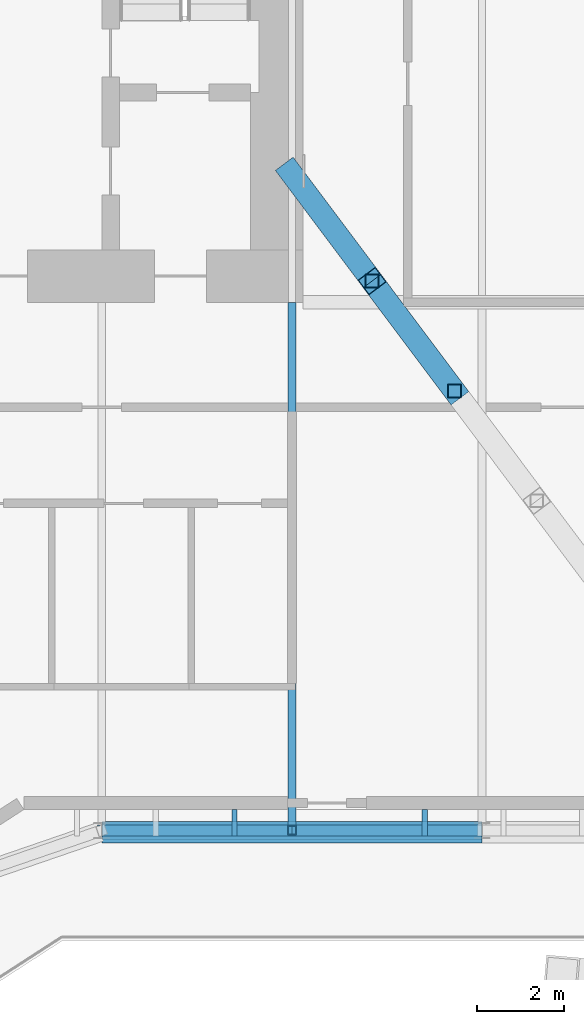
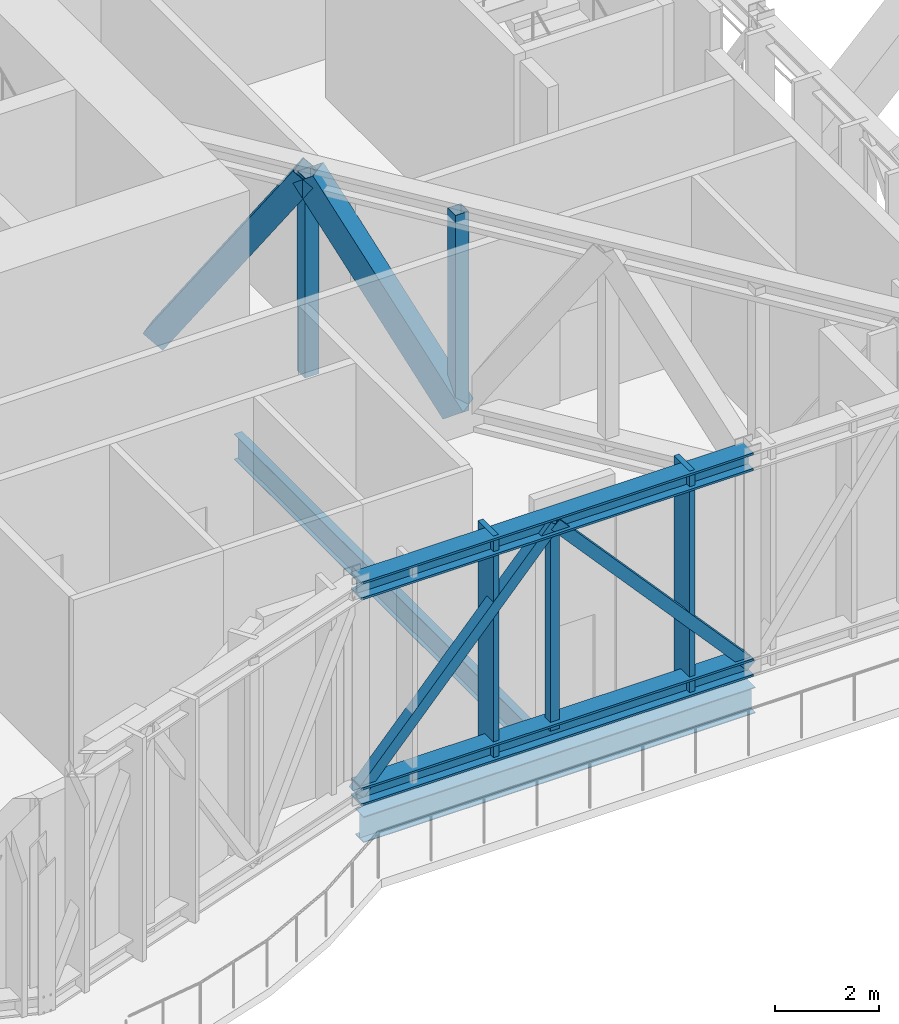
# One storey, part 11 of 30: 11 members, 2 beams, 1 element without a shape of its own.
"""IFC4 building model written with IfcOpenShell, lengths in metres."""

from ifc_helpers import new_model, si_unit, direction, frame, origin, origin_2d, place, context, subcontext, project, spatial, rectangle, hollow_rectangle, i_section, extrude, material, material_profile, profile_set, type_object, element, aggregate, save


model = new_model("IFC4")

# Units and contexts
model_context = context("Model", 3, precision=1e-05, world=origin(), true_north=direction((0.0, 1.0)))
body_context = subcontext(model_context, "Body", "Model", "MODEL_VIEW")
ifc_project = project(units=[si_unit("LENGTHUNIT", "METRE"), si_unit("AREAUNIT", "SQUARE_METRE"), si_unit("VOLUMEUNIT", "CUBIC_METRE"), si_unit("PLANEANGLEUNIT", "RADIAN"), si_unit("MASSUNIT", "GRAM", prefix="KILO")], contexts=[model_context])

# Site, building, storey
site_placement = place(None, origin())
site = spatial("IfcSite", under=ifc_project, at=site_placement, CompositionType="ELEMENT")
building_placement = place(site_placement, origin())
building = spatial("IfcBuilding", under=site, at=building_placement, Name="Bicima Exchange Tower", CompositionType="ELEMENT")
storey_placement = place(building_placement, frame((0.0, 0.0, 287.60009765625)))
storey = spatial("IfcBuildingStorey", under=building, at=storey_placement, Name="L65", CompositionType="ELEMENT", Elevation=287.60009765625)

# Curtain wall, members
ifc_material_1 = material(Name="Anodised bronze aluminium", Category="aluminium")
curtain_wall_type = type_object("IfcCurtainWallType", Name="Band blade screen", PredefinedType="NOTDEFINED", material=ifc_material_1)
curtain_wall_placement = place(storey_placement, origin())
curtain_wall = element("IfcCurtainWall", 1, at=curtain_wall_placement, inside=storey, type_object=curtain_wall_type, Name="Band blade screen L65", PredefinedType="NOTDEFINED")
ifc_material_profile_1 = material_profile(ifc_material_1, rectangle(XDim=0.60009765625, YDim=0.1201171875, at=origin_2d()))
ifc_profile_set_1 = profile_set([ifc_material_profile_1], Name="Anodised bronze aluminium")
member_type_1 = type_object("IfcMemberType", Name="Band blade fin 600 x 120", PredefinedType="USERDEFINED", material=ifc_profile_set_1)
member_1_placement = place(storey_placement, frame((20.432373046875, -24.904052734375, 0.0), z_axis=(0.0, 0.0, 1.0), x_axis=(0.0, 1.0, 0.0)))
member_1 = element("IfcMember", 2, at=member_1_placement, type_object=member_type_1, Name="Band blade fin 45", ObjectType="FIN", PredefinedType="USERDEFINED", context=body_context, shape_type="SweptSolid", body=[
    extrude(rectangle(XDim=0.60009765625, YDim=0.1201171875, at=origin_2d()), origin(), (0.0, 0.0, 1.0), 5.25),
])
member_2_placement = place(storey_placement, frame((24.787109375, -24.904052734375, 0.0), z_axis=(0.0, 0.0, 1.0), x_axis=(0.0, 1.0, 0.0)))
member_2 = element("IfcMember", 3, at=member_2_placement, type_object=member_type_1, Name="Band blade fin 46", ObjectType="FIN", PredefinedType="USERDEFINED", context=body_context, shape_type="SweptSolid", body=[
    extrude(rectangle(XDim=0.60009765625, YDim=0.1201171875, at=origin_2d()), origin(), (0.0, 0.0, 1.0), 5.25),
])
aggregate(curtain_wall, [member_1, member_2])

# Members
ifc_material_2 = material(Name="Steel ASTM A992 Gr 50", Category="steel")
ifc_material_profile_2 = material_profile(ifc_material_2, i_section(OverallWidth=0.406494140625, OverallDepth=0.41650390625, WebThickness=0.030029296875, FlangeThickness=0.048095703125, at=origin_2d()))
ifc_profile_set_2 = profile_set([ifc_material_profile_2], Name="Steel ASTM A992 Gr 50")
member_type_2 = type_object("IfcMemberType", Name="Belt truss chord W14x257", PredefinedType="CHORD", material=ifc_profile_set_2)
for number, where, z_axis, x_axis, name in (
    (4, (17.39990234375, -25.08203125, 5.04150390625), (1.0, 0.0, 0.0), (0.0, 1.0, 0.0), "Top chord"),
    (5, (17.39990234375, -25.08203125, 0.208251953125), (1.0, 0.0, 0.0), (0.0, 1.0, 0.0), "Bottom chord"),
):
    element("IfcMember", number, at=place(storey_placement, frame(where, z_axis=z_axis, x_axis=x_axis)), inside=storey, type_object=member_type_2, Name=name, PredefinedType="CHORD", context=body_context, shape_type="SweptSolid", body=[
        extrude(i_section(OverallWidth=0.406494140625, OverallDepth=0.41650390625, WebThickness=0.030029296875, FlangeThickness=0.048095703125, at=origin_2d()), origin(), (0.0, 0.0, 1.0), 8.7001953125),
    ])
ifc_material_3 = material(Name="Steel ASTM A572 Gr 50", Category="steel")
ifc_material_profile_3 = material_profile(ifc_material_3, hollow_rectangle(XDim=0.25390625, YDim=0.25390625, WallThickness=0.01171875, at=origin_2d()))
ifc_profile_set_3 = profile_set([ifc_material_profile_3], Name="Steel ASTM A572 Gr 50")
member_type_3 = type_object("IfcMemberType", Name="Belt truss diagonal HSS10x10x1/2", PredefinedType="STRUT", material=ifc_profile_set_3)
for number, where, z_axis, x_axis, name in (
    (6, (17.39990234375, -25.08203125, 0.208251953125), (0.668979251714, 0.0, 0.743281077908), (0.0, 1.0, 0.0), "Truss diagonal"),
    (7, (21.75, -25.08203125, 5.04150390625), (0.668979251714, 0.0, -0.743281077908), (0.0, 1.0, 0.0), "Truss diagonal"),
):
    element("IfcMember", number, at=place(storey_placement, frame(where, z_axis=z_axis, x_axis=x_axis)), inside=storey, type_object=member_type_3, Name=name, PredefinedType="STRUT", context=body_context, shape_type="SweptSolid", body=[
        extrude(hollow_rectangle(XDim=0.25390625, YDim=0.25390625, WallThickness=0.01171875, at=origin_2d()), origin(), (0.0, 0.0, 1.0), 6.502685546875),
    ])
ifc_material_profile_4 = material_profile(ifc_material_3, hollow_rectangle(XDim=0.203125, YDim=0.203125, WallThickness=0.01171875, at=origin_2d()))
ifc_profile_set_4 = profile_set([ifc_material_profile_4], Name="Steel ASTM A572 Gr 50")
member_type_4 = type_object("IfcMemberType", Name="Belt truss post HSS8x8x1/2", PredefinedType="POST", material=ifc_profile_set_4)
member_3_placement = place(storey_placement, frame((21.75, -25.08203125, 0.208251953125), z_axis=(0.0, 0.0, 1.0), x_axis=(1.0, 0.0, 0.0)))
element("IfcMember", 8, at=member_3_placement, inside=storey, type_object=member_type_4, Name="Truss post", PredefinedType="POST", context=body_context, shape_type="SweptSolid", body=[
    extrude(hollow_rectangle(XDim=0.203125, YDim=0.203125, WallThickness=0.01171875, at=origin_2d()), origin(), (0.0, 0.0, 1.0), 4.833251953125),
])

# Beams
ifc_material_profile_5 = material_profile(ifc_material_2, i_section(OverallWidth=0.177978515625, OverallDepth=0.599365234375, WebThickness=0.010009765625, FlangeThickness=0.012939453125, at=origin_2d()))
ifc_profile_set_5 = profile_set([ifc_material_profile_5], Name="Steel ASTM A992 Gr 50")
beam_type_1 = type_object("IfcBeamType", Name="Floor beam W24x55", PredefinedType="JOIST", material=ifc_profile_set_5)
beam_1_placement = place(storey_placement, frame((21.75, -13.0, -0.499755859375), z_axis=(0.0, -1.0, 0.0), x_axis=(1.0, 0.0, 0.0)))
element("IfcBeam", 9, at=beam_1_placement, inside=storey, type_object=beam_type_1, Name="Floor beam", PredefinedType="JOIST", context=body_context, shape_type="SweptSolid", body=[
    extrude(i_section(OverallWidth=0.177978515625, OverallDepth=0.599365234375, WebThickness=0.010009765625, FlangeThickness=0.012939453125, at=origin_2d()), origin(), (0.0, 0.0, 1.0), 12.04150390625),
])
ifc_material_profile_6 = material_profile(ifc_material_2, i_section(OverallWidth=0.3251953125, OverallDepth=0.612060546875, WebThickness=0.0126953125, FlangeThickness=0.01904296875, at=origin_2d()))
ifc_profile_set_6 = profile_set([ifc_material_profile_6], Name="Steel ASTM A992 Gr 50")
beam_type_2 = type_object("IfcBeamType", Name="Front girder W24x104", PredefinedType="BEAM", material=ifc_profile_set_6)
beam_2_placement = place(storey_placement, frame((17.39990234375, -25.2041015625, -0.506103515625), z_axis=(1.0, 0.0, 0.0), x_axis=(0.0, 1.0, 0.0)))
element("IfcBeam", 10, at=beam_2_placement, inside=storey, type_object=beam_type_2, Name="Front girder", PredefinedType="BEAM", context=body_context, shape_type="SweptSolid", body=[
    extrude(i_section(OverallWidth=0.3251953125, OverallDepth=0.612060546875, WebThickness=0.0126953125, FlangeThickness=0.01904296875, at=origin_2d()), origin(), (0.0, 0.0, 1.0), 8.7001953125),
])

# Members
ifc_material_profile_7 = material_profile(ifc_material_3, hollow_rectangle(XDim=0.508056640625, YDim=0.508056640625, WallThickness=0.017822265625, at=origin_2d()))
ifc_profile_set_7 = profile_set([ifc_material_profile_7], Name="Steel ASTM A572 Gr 50")
member_type_5 = type_object("IfcMemberType", Name="Outrigger truss diagonal HSS20x20x3/4", PredefinedType="STRUT", material=ifc_profile_set_7)
member_4_placement = place(storey_placement, frame((21.699951171875, -10.0, 0.284423828125), z_axis=(0.334093656655, -0.445920182644, 0.830383417039), x_axis=(0.800298380594, 0.599601952982, 0.0)))
element("IfcMember", 11, at=member_4_placement, inside=storey, type_object=member_type_5, Name="Truss diagonal", PredefinedType="STRUT", context=body_context, shape_type="SweptSolid", body=[
    extrude(hollow_rectangle(XDim=0.508056640625, YDim=0.508056640625, WallThickness=0.017822265625, at=origin_2d()), origin(), (0.0, 0.0, 1.0), 5.636962890625),
])
member_5_placement = place(storey_placement, frame((23.583251953125, -12.513671875, 4.96533203125), z_axis=(0.334132131656, -0.445913730075, -0.830371401197), x_axis=(0.800261081681, 0.599651733214, 0.0)))
element("IfcMember", 12, at=member_5_placement, inside=storey, type_object=member_type_5, Name="Truss diagonal", PredefinedType="STRUT", context=body_context, shape_type="SweptSolid", body=[
    extrude(hollow_rectangle(XDim=0.508056640625, YDim=0.508056640625, WallThickness=0.017822265625, at=origin_2d()), origin(), (0.0, 0.0, 1.0), 5.63720703125),
])
ifc_material_profile_8 = material_profile(ifc_material_3, hollow_rectangle(XDim=0.3046875, YDim=0.3046875, WallThickness=0.01171875, at=origin_2d()))
ifc_profile_set_8 = profile_set([ifc_material_profile_8], Name="Steel ASTM A572 Gr 50")
member_type_6 = type_object("IfcMemberType", Name="Outrigger truss post HSS12x12x1/2", PredefinedType="POST", material=ifc_profile_set_8)
for number, where, z_axis, x_axis, name in (
    (13, (23.583251953125, -12.513671875, 0.284423828125), (0.0, 0.0, 1.0), (1.0, 0.0, 0.0), "Truss post"),
    (14, (25.466796875, -15.02734375, 0.284423828125), (0.0, 0.0, 1.0), (1.0, 0.0, 0.0), "Truss post"),
):
    element("IfcMember", number, at=place(storey_placement, frame(where, z_axis=z_axis, x_axis=x_axis)), inside=storey, type_object=member_type_6, Name=name, PredefinedType="POST", context=body_context, shape_type="SweptSolid", body=[
        extrude(hollow_rectangle(XDim=0.3046875, YDim=0.3046875, WallThickness=0.01171875, at=origin_2d()), origin(), (0.0, 0.0, 1.0), 4.680908203125),
    ])

save(model, "model.ifc")
